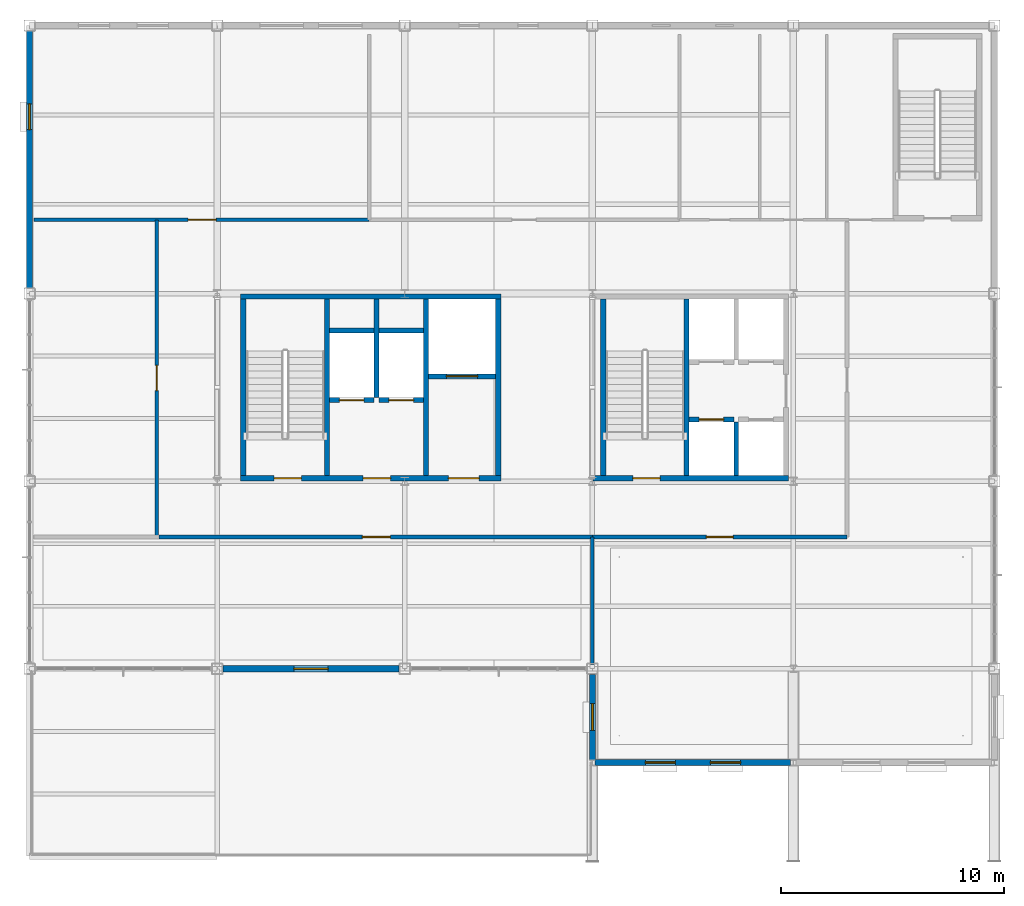
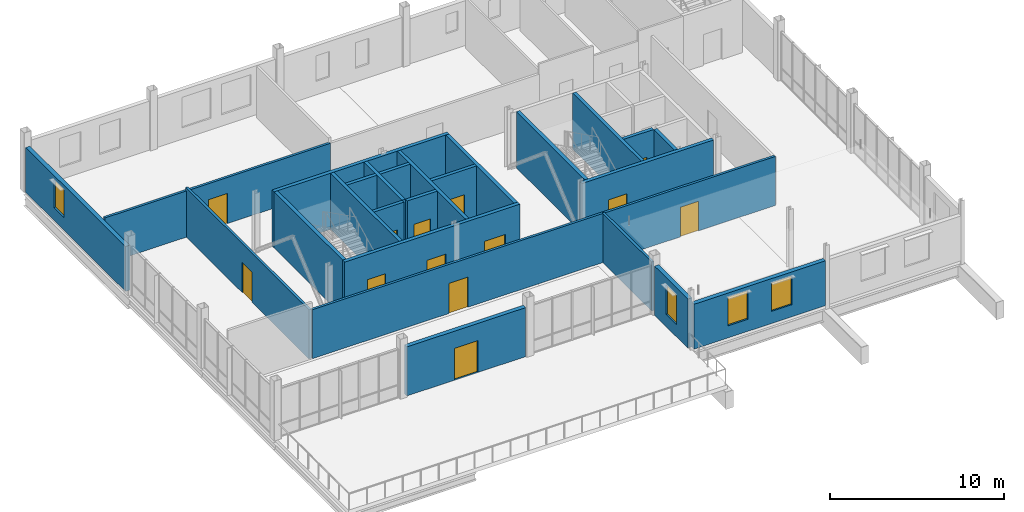
# One storey, part 14 of 22: 26 walls, 13 doors, 4 windows, 17 openings.
"""IFC4 building model written with IfcOpenShell, lengths in metres."""

from ifc_helpers import new_model, si_unit, direction, frame, frame_2d, origin, place, context, subcontext, project, spatial, rectangle, extrude, material, layer, layer_set, type_object, element, fill, save


model = new_model("IFC4")

# Units and contexts
model_context = context("Model", 3, precision=1e-05, world=origin(), true_north=direction((0.0, 1.0)))
body_context = subcontext(model_context, "Body", "Model", "MODEL_VIEW")
ifc_project = project(units=[si_unit("LENGTHUNIT", "METRE"), si_unit("AREAUNIT", "SQUARE_METRE"), si_unit("VOLUMEUNIT", "CUBIC_METRE"), si_unit("PLANEANGLEUNIT", "RADIAN"), si_unit("MASSUNIT", "GRAM", prefix="KILO")], contexts=[model_context])

# Site, building, storey
site_placement = place(None, origin())
site = spatial("IfcSite", under=ifc_project, at=site_placement, CompositionType="ELEMENT")
building_placement = place(site_placement, origin())
building = spatial("IfcBuilding", under=site, at=building_placement, Name="Yukiwa Park Conservatory and Herbarium", CompositionType="ELEMENT")
storey_placement = place(building_placement, frame((0.0, 0.0, 35.39990234375)))
storey = spatial("IfcBuildingStorey", under=building, at=storey_placement, Name="L09", CompositionType="ELEMENT", Elevation=35.39990234375)

# Walls
ifc_material_1 = material(Name="Concrete C40", Category="concrete")
ifc_layer_1 = layer(ifc_material_1, 0.219970703125)
ifc_layer_set_1 = layer_set([ifc_layer_1], Name="Concrete C40")
wall_type_1 = type_object("IfcWallType", Name="WL-CORE-RC220", PredefinedType="SHEAR", material=ifc_layer_set_1)
wall_1_placement = place(storey_placement, frame((138.110107421875, 95.050048828125, 0.0), z_axis=(0.0, 0.0, 1.0), x_axis=(0.0, 1.0, 0.0)))
element("IfcWall", 1, at=wall_1_placement, inside=storey, type_object=wall_type_1, Name="L09 core shear wall 573", PredefinedType="SHEAR", context=body_context, shape_type="SweptSolid", body=[
    extrude(rectangle(XDim=7.89990234375, YDim=0.219970703125, at=frame_2d((3.949951171875, 0.0))), origin(), (0.0, 0.0, 1.0), 3.947998046875),
])
wall_2_placement = place(storey_placement, frame((140.330078125, 98.5400390625, 0.0), z_axis=(0.0, 0.0, 1.0), x_axis=(0.0, 1.0, 0.0)))
element("IfcWall", 2, at=wall_2_placement, inside=storey, type_object=wall_type_1, Name="L09 core shear wall 574", PredefinedType="SHEAR", context=body_context, shape_type="SweptSolid", body=[
    extrude(rectangle(XDim=4.409912109375, YDim=0.219970703125, at=frame_2d((2.205078125, 0.0))), origin(), (0.0, 0.0, 1.0), 3.947998046875),
])
wall_3_placement = place(storey_placement, frame((142.550048828125, 95.050048828125, 0.0), z_axis=(0.0, 0.0, 1.0), x_axis=(0.0, 1.0, 0.0)))
element("IfcWall", 3, at=wall_3_placement, inside=storey, type_object=wall_type_1, Name="L09 core shear wall 575", PredefinedType="SHEAR", context=body_context, shape_type="SweptSolid", body=[
    extrude(rectangle(XDim=7.89990234375, YDim=0.219970703125, at=frame_2d((3.949951171875, 0.0))), origin(), (0.0, 0.0, 1.0), 3.947998046875),
])

# Wall, opening, door
wall_4_placement = place(storey_placement, frame((138.219970703125, 98.429931640625, 0.0), z_axis=(0.0, 0.0, 1.0), x_axis=(1.0, 0.0, 0.0)))
wall_4 = element("IfcWall", 4, at=wall_4_placement, inside=storey, type_object=wall_type_1, Name="L09 core shear wall 577", PredefinedType="SHEAR", context=body_context, shape_type="SweptSolid", body=[
    extrude(rectangle(XDim=2.0, YDim=0.219970703125, at=frame_2d((1.0, 0.0))), origin(), (0.0, 0.0, 1.0), 3.947998046875),
])
opening_1_placement = place(wall_4_placement, frame((0.449951171875, 0.0, 0.0)))
opening_1 = element("IfcOpeningElement", 5, at=opening_1_placement, cuts=wall_4, Name="Opening LD-01", PredefinedType="OPENING", context=body_context, shape_type="SweptSolid", body=[
    extrude(rectangle(XDim=1.10009765625, YDim=2.14990234375, at=frame_2d((0.550048828125, 1.074951171875))), frame((0.0, 0.1201171875, 0.0), z_axis=(0.0, -1.0, 0.0), x_axis=(1.0, 0.0, 0.0)), (0.0, 0.0, 1.0), 0.239990234375),
])
ifc_material_2 = material(Name="Steel Q235B", Category="steel")
door_type_1 = type_object("IfcDoorType", Name="DR-LIFT-LD1100", OperationType="SLIDING_TO_LEFT", PredefinedType="DOOR", material=ifc_material_2)
door_1_placement = place(opening_1_placement, origin())
door_1 = element("IfcDoor", 6, at=door_1_placement, inside=storey, type_object=door_type_1, Name="L09 Firefighting Lift FL1 sliding landing door", OperationType="SLIDING_TO_LEFT", OverallHeight=2.14990234375, OverallWidth=1.10009765625, PredefinedType="DOOR", context=body_context, shape_type="SweptSolid", body=[
    extrude(rectangle(XDim=1.10009765625, YDim=2.14990234375, at=frame_2d((0.550048828125, 1.074951171875))), frame((0.0, 0.02490234375, 0.0), z_axis=(0.0, -1.0, 0.0), x_axis=(1.0, 0.0, 0.0)), (0.0, 0.0, 1.0), 0.050048828125),
])
fill(opening_1, door_1)

wall_5_placement = place(storey_placement, frame((140.43994140625, 98.429931640625, 0.0), z_axis=(0.0, 0.0, 1.0), x_axis=(1.0, 0.0, 0.0)))
wall_5 = element("IfcWall", 7, at=wall_5_placement, inside=storey, type_object=wall_type_1, Name="L09 core shear wall 578", PredefinedType="SHEAR", context=body_context, shape_type="SweptSolid", body=[
    extrude(rectangle(XDim=2.0, YDim=0.219970703125, at=frame_2d((1.0, 0.0))), origin(), (0.0, 0.0, 1.0), 3.947998046875),
])
opening_2_placement = place(wall_5_placement, frame((0.449951171875, 0.0, 0.0)))
opening_2 = element("IfcOpeningElement", 8, at=opening_2_placement, cuts=wall_5, Name="Opening LD-01", PredefinedType="OPENING", context=body_context, shape_type="SweptSolid", body=[
    extrude(rectangle(XDim=1.10009765625, YDim=2.14990234375, at=frame_2d((0.550048828125, 1.074951171875))), frame((0.0, 0.1201171875, 0.0), z_axis=(0.0, -1.0, 0.0), x_axis=(1.0, 0.0, 0.0)), (0.0, 0.0, 1.0), 0.239990234375),
])
door_2_placement = place(opening_2_placement, origin())
door_2 = element("IfcDoor", 9, at=door_2_placement, inside=storey, type_object=door_type_1, Name="L09 Firefighting Lift FL2 sliding landing door", OperationType="SLIDING_TO_LEFT", OverallHeight=2.14990234375, OverallWidth=1.10009765625, PredefinedType="DOOR", context=body_context, shape_type="SweptSolid", body=[
    extrude(rectangle(XDim=1.10009765625, YDim=2.14990234375, at=frame_2d((0.550048828125, 1.074951171875))), frame((0.0, 0.02490234375, 0.0), z_axis=(0.0, -1.0, 0.0), x_axis=(1.0, 0.0, 0.0)), (0.0, 0.0, 1.0), 0.050048828125),
])
fill(opening_2, door_2)

# Walls
for number, where, z_axis, x_axis, name in (
    (10, (138.219970703125, 101.550048828125, 0.0), (0.0, 0.0, 1.0), (1.0, 0.0, 0.0), "L09 core shear wall 579"),
    (11, (140.43994140625, 101.550048828125, 0.0), (0.0, 0.0, 1.0), (1.0, 0.0, 0.0), "L09 core shear wall 580"),
):
    element("IfcWall", number, at=place(storey_placement, frame(where, z_axis=z_axis, x_axis=x_axis)), inside=storey, type_object=wall_type_1, Name=name, PredefinedType="SHEAR", context=body_context, shape_type="SweptSolid", body=[
        extrude(rectangle(XDim=2.0, YDim=0.219970703125, at=frame_2d((1.0, 0.0))), origin(), (0.0, 0.0, 1.0), 3.947998046875),
    ])

# Wall, opening, door
wall_6_placement = place(storey_placement, frame((142.659912109375, 99.489990234375, 0.0), z_axis=(0.0, 0.0, 1.0), x_axis=(1.0, 0.0, 0.0)))
wall_6 = element("IfcWall", 12, at=wall_6_placement, inside=storey, type_object=wall_type_1, Name="L09 core shear wall 581", PredefinedType="SHEAR", context=body_context, shape_type="SweptSolid", body=[
    extrude(rectangle(XDim=3.0, YDim=0.219970703125, at=frame_2d((1.5, 0.0))), origin(), (0.0, 0.0, 1.0), 3.947998046875),
])
opening_3_placement = place(wall_6_placement, frame((0.800048828125, 0.0, 0.0)))
opening_3 = element("IfcOpeningElement", 13, at=opening_3_placement, cuts=wall_6, Name="Opening LD-02", PredefinedType="OPENING", context=body_context, shape_type="SweptSolid", body=[
    extrude(rectangle(XDim=1.39990234375, YDim=2.199951171875, at=frame_2d((0.699951171875, 1.10009765625))), frame((0.0, 0.1201171875, 0.0), z_axis=(0.0, -1.0, 0.0), x_axis=(1.0, 0.0, 0.0)), (0.0, 0.0, 1.0), 0.239990234375),
])
ifc_material_3 = material(Name="Steel Q235B", Category="steel")
door_type_2 = type_object("IfcDoorType", Name="DR-LIFT-LD1400", OperationType="SLIDING_TO_LEFT", PredefinedType="DOOR", material=ifc_material_3)
door_3_placement = place(opening_3_placement, origin())
door_3 = element("IfcDoor", 14, at=door_3_placement, inside=storey, type_object=door_type_2, Name="L09 Goods Lift GL1 sliding landing door", OperationType="SLIDING_TO_LEFT", OverallHeight=2.199951171875, OverallWidth=1.39990234375, PredefinedType="DOOR", context=body_context, shape_type="SweptSolid", body=[
    extrude(rectangle(XDim=1.39990234375, YDim=2.199951171875, at=frame_2d((0.699951171875, 1.10009765625))), frame((0.0, 0.02490234375, 0.0), z_axis=(0.0, -1.0, 0.0), x_axis=(1.0, 0.0, 0.0)), (0.0, 0.0, 1.0), 0.050048828125),
])
fill(opening_3, door_3)

# Walls
wall_7_placement = place(storey_placement, frame((154.219970703125, 95.050048828125, 0.0), z_axis=(0.0, 0.0, 1.0), x_axis=(0.0, 1.0, 0.0)))
element("IfcWall", 15, at=wall_7_placement, inside=storey, type_object=wall_type_1, Name="L09 core shear wall 585", PredefinedType="SHEAR", context=body_context, shape_type="SweptSolid", body=[
    extrude(rectangle(XDim=7.89990234375, YDim=0.219970703125, at=frame_2d((3.949951171875, 0.0))), origin(), (0.0, 0.0, 1.0), 3.947998046875),
])
wall_8_placement = place(storey_placement, frame((156.43994140625, 95.050048828125, 0.0), z_axis=(0.0, 0.0, 1.0), x_axis=(0.0, 1.0, 0.0)))
element("IfcWall", 16, at=wall_8_placement, inside=storey, type_object=wall_type_1, Name="L09 core shear wall 590", PredefinedType="SHEAR", context=body_context, shape_type="SweptSolid", body=[
    extrude(rectangle(XDim=2.39990234375, YDim=0.219970703125, at=frame_2d((1.199951171875, 0.0))), origin(), (0.0, 0.0, 1.0), 3.947998046875),
])

# Wall, opening, door
wall_9_placement = place(storey_placement, frame((154.330078125, 97.56005859375, 0.0), z_axis=(0.0, 0.0, 1.0), x_axis=(1.0, 0.0, 0.0)))
wall_9 = element("IfcWall", 17, at=wall_9_placement, inside=storey, type_object=wall_type_1, Name="L09 core shear wall 591", PredefinedType="SHEAR", context=body_context, shape_type="SweptSolid", body=[
    extrude(rectangle(XDim=2.0, YDim=0.219970703125, at=frame_2d((1.0, 0.0))), origin(), (0.0, 0.0, 1.0), 3.947998046875),
])
opening_4_placement = place(wall_9_placement, frame((0.449951171875, 0.0, 0.0)))
opening_4 = element("IfcOpeningElement", 18, at=opening_4_placement, cuts=wall_9, Name="Opening LD-01", PredefinedType="OPENING", context=body_context, shape_type="SweptSolid", body=[
    extrude(rectangle(XDim=1.10009765625, YDim=2.14990234375, at=frame_2d((0.550048828125, 1.074951171875))), frame((0.0, 0.1201171875, 0.0), z_axis=(0.0, -1.0, 0.0), x_axis=(1.0, 0.0, 0.0)), (0.0, 0.0, 1.0), 0.239990234375),
])
door_4_placement = place(opening_4_placement, origin())
door_4 = element("IfcDoor", 19, at=door_4_placement, inside=storey, type_object=door_type_1, Name="L09 Passenger Lift LP3 sliding landing door", OperationType="SLIDING_TO_LEFT", OverallHeight=2.14990234375, OverallWidth=1.10009765625, PredefinedType="DOOR", context=body_context, shape_type="SweptSolid", body=[
    extrude(rectangle(XDim=1.10009765625, YDim=2.14990234375, at=frame_2d((0.550048828125, 1.074951171875))), frame((0.0, 0.02490234375, 0.0), z_axis=(0.0, -1.0, 0.0), x_axis=(1.0, 0.0, 0.0)), (0.0, 0.0, 1.0), 0.050048828125),
])
fill(opening_4, door_4)

# Wall, openings, doors
ifc_material_4 = material(Name="Concrete C50", Category="concrete")
ifc_layer_2 = layer(ifc_material_4, 0.239990234375)
ifc_layer_set_2 = layer_set([ifc_layer_2], Name="Concrete C50")
wall_type_2 = type_object("IfcWallType", Name="WL-CORE-RC240", PredefinedType="SHEAR", material=ifc_layer_set_2)
wall_10_placement = place(storey_placement, frame((134.25, 94.929931640625, 0.0), z_axis=(0.0, 0.0, 1.0), x_axis=(1.0, 0.0, 0.0)))
wall_10 = element("IfcWall", 20, at=wall_10_placement, inside=storey, type_object=wall_type_2, Name="L09 core shear wall 570", PredefinedType="SHEAR", context=body_context, shape_type="SweptSolid", body=[
    extrude(rectangle(XDim=11.64990234375, YDim=0.239990234375, at=frame_2d((5.824951171875, 0.0))), origin(), (0.0, 0.0, 1.0), 3.947998046875),
])
opening_5_placement = place(wall_10_placement, frame((1.5, 0.0, 0.0)))
opening_5 = element("IfcOpeningElement", 21, at=opening_5_placement, cuts=wall_10, Name="Opening SD-01", PredefinedType="OPENING", context=body_context, shape_type="SweptSolid", body=[
    extrude(rectangle(XDim=1.219970703125, YDim=2.179931640625, at=frame_2d((0.60986328125, 1.08984375))), frame((0.0, 0.1298828125, 0.0), z_axis=(0.0, -1.0, 0.0), x_axis=(1.0, 0.0, 0.0)), (0.0, 0.0, 1.0), 0.260009765625),
])
opening_6_placement = place(wall_10_placement, frame((5.47998046875, 0.0, 0.0)))
opening_6 = element("IfcOpeningElement", 22, at=opening_6_placement, cuts=wall_10, Name="Opening FD-02", PredefinedType="OPENING", context=body_context, shape_type="SweptSolid", body=[
    extrude(rectangle(XDim=1.239990234375, YDim=2.14990234375, at=frame_2d((0.6201171875, 1.074951171875))), frame((0.0, 0.1298828125, 0.0), z_axis=(0.0, -1.0, 0.0), x_axis=(1.0, 0.0, 0.0)), (0.0, 0.0, 1.0), 0.260009765625),
])
opening_7_placement = place(wall_10_placement, frame((9.300048828125, 0.0, 0.0)))
opening_7 = element("IfcOpeningElement", 23, at=opening_7_placement, cuts=wall_10, Name="Opening FD-06", PredefinedType="OPENING", context=body_context, shape_type="SweptSolid", body=[
    extrude(rectangle(XDim=1.3798828125, YDim=2.14990234375, at=frame_2d((0.68994140625, 1.074951171875))), frame((0.0, 0.1298828125, 0.0), z_axis=(0.0, -1.0, 0.0), x_axis=(1.0, 0.0, 0.0)), (0.0, 0.0, 1.0), 0.260009765625),
])
ifc_material_5 = material(Name="Steel Q235B", Category="steel")
door_type_3 = type_object("IfcDoorType", Name="DR-FIRE-FD60-1400", OperationType="DOUBLE_DOOR_SINGLE_SWING", PredefinedType="DOOR", material=ifc_material_5)
door_5_placement = place(opening_7_placement, frame((1.3798828125, 0.0, 0.0), z_axis=(0.0, 0.0, 1.0), x_axis=(-1.0, 0.0, 0.0)))
door_5 = element("IfcDoor", 24, at=door_5_placement, inside=storey, type_object=door_type_3, Name="L09 Goods Lift Lobby double fire door", OperationType="DOUBLE_DOOR_SINGLE_SWING", OverallHeight=2.14990234375, OverallWidth=1.3798828125, PredefinedType="DOOR", context=body_context, shape_type="SweptSolid", body=[
    extrude(rectangle(XDim=1.3798828125, YDim=2.14990234375, at=frame_2d((0.68994140625, 1.074951171875))), frame((0.0, 0.02490234375, 0.0), z_axis=(0.0, -1.0, 0.0), x_axis=(1.0, 0.0, 0.0)), (0.0, 0.0, 1.0), 0.050048828125),
])
fill(opening_7, door_5)
ifc_material_6 = material(Name="Steel Q235B", Category="steel")
door_type_4 = type_object("IfcDoorType", Name="DR-FIRE-FD90-1200", OperationType="SINGLE_SWING_RIGHT", PredefinedType="DOOR", material=ifc_material_6)
door_6_placement = place(opening_6_placement, frame((1.239990234375, 0.0, 0.0), z_axis=(0.0, 0.0, 1.0), x_axis=(-1.0, 0.0, 0.0)))
door_6 = element("IfcDoor", 25, at=door_6_placement, inside=storey, type_object=door_type_4, Name="L09 Firefighting Lift Lobby fire door", OperationType="SINGLE_SWING_RIGHT", OverallHeight=2.14990234375, OverallWidth=1.239990234375, PredefinedType="DOOR", context=body_context, shape_type="SweptSolid", body=[
    extrude(rectangle(XDim=1.239990234375, YDim=2.14990234375, at=frame_2d((0.6201171875, 1.074951171875))), frame((0.0, 0.02490234375, 0.0), z_axis=(0.0, -1.0, 0.0), x_axis=(1.0, 0.0, 0.0)), (0.0, 0.0, 1.0), 0.050048828125),
])
fill(opening_6, door_6)
ifc_material_7 = material(Name="Steel Q235B", Category="steel")
door_type_5 = type_object("IfcDoorType", Name="DR-STAIR-FD90-1200", OperationType="SINGLE_SWING_LEFT", PredefinedType="DOOR", material=ifc_material_7)
door_7_placement = place(opening_5_placement, origin())
door_7 = element("IfcDoor", 26, at=door_7_placement, inside=storey, type_object=door_type_5, Name="L09 Stairwell ST-T1 fire door", OperationType="SINGLE_SWING_LEFT", OverallHeight=2.179931640625, OverallWidth=1.219970703125, PredefinedType="DOOR", context=body_context, shape_type="SweptSolid", body=[
    extrude(rectangle(XDim=1.219970703125, YDim=2.179931640625, at=frame_2d((0.60986328125, 1.08984375))), frame((0.0, 0.02490234375, 0.0), z_axis=(0.0, -1.0, 0.0), x_axis=(1.0, 0.0, 0.0)), (0.0, 0.0, 1.0), 0.050048828125),
])
fill(opening_5, door_7)

# Walls
wall_11_placement = place(storey_placement, frame((134.25, 103.070068359375, 0.0), z_axis=(0.0, 0.0, 1.0), x_axis=(1.0, 0.0, 0.0)))
element("IfcWall", 27, at=wall_11_placement, inside=storey, type_object=wall_type_2, Name="L09 core shear wall 571", PredefinedType="SHEAR", context=body_context, shape_type="SweptSolid", body=[
    extrude(rectangle(XDim=11.64990234375, YDim=0.239990234375, at=frame_2d((5.824951171875, 0.0))), origin(), (0.0, 0.0, 1.0), 3.947998046875),
])
for number, where, z_axis, x_axis, name in (
    (28, (134.3701171875, 95.050048828125, 0.0), (0.0, 0.0, 1.0), (0.0, 1.0, 0.0), "L09 core shear wall 572"),
    (29, (145.780029296875, 95.050048828125, 0.0), (0.0, 0.0, 1.0), (0.0, 1.0, 0.0), "L09 core shear wall 576"),
):
    element("IfcWall", number, at=place(storey_placement, frame(where, z_axis=z_axis, x_axis=x_axis)), inside=storey, type_object=wall_type_2, Name=name, PredefinedType="SHEAR", context=body_context, shape_type="SweptSolid", body=[
        extrude(rectangle(XDim=7.89990234375, YDim=0.239990234375, at=frame_2d((3.949951171875, 0.0))), origin(), (0.0, 0.0, 1.0), 3.947998046875),
    ])

# Wall, opening, door
wall_12_placement = place(storey_placement, frame((150.02001953125, 94.929931640625, 0.0), z_axis=(0.0, 0.0, 1.0), x_axis=(1.0, 0.0, 0.0)))
wall_12 = element("IfcWall", 30, at=wall_12_placement, inside=storey, type_object=wall_type_2, Name="L09 core shear wall 582", PredefinedType="SHEAR", context=body_context, shape_type="SweptSolid", body=[
    extrude(rectangle(XDim=8.77001953125, YDim=0.239990234375, at=frame_2d((4.385009765625, 0.0))), origin(), (0.0, 0.0, 1.0), 3.947998046875),
])
opening_8_placement = place(wall_12_placement, frame((1.7900390625, 0.0, 0.0)))
opening_8 = element("IfcOpeningElement", 31, at=opening_8_placement, cuts=wall_12, Name="Opening SD-01", PredefinedType="OPENING", context=body_context, shape_type="SweptSolid", body=[
    extrude(rectangle(XDim=1.219970703125, YDim=2.179931640625, at=frame_2d((0.60986328125, 1.08984375))), frame((0.0, 0.1298828125, 0.0), z_axis=(0.0, -1.0, 0.0), x_axis=(1.0, 0.0, 0.0)), (0.0, 0.0, 1.0), 0.260009765625),
])
door_8_placement = place(opening_8_placement, origin())
door_8 = element("IfcDoor", 32, at=door_8_placement, inside=storey, type_object=door_type_5, Name="L09 Stairwell ST-T2 fire door", OperationType="SINGLE_SWING_LEFT", OverallHeight=2.179931640625, OverallWidth=1.219970703125, PredefinedType="DOOR", context=body_context, shape_type="SweptSolid", body=[
    extrude(rectangle(XDim=1.219970703125, YDim=2.179931640625, at=frame_2d((0.60986328125, 1.08984375))), frame((0.0, 0.02490234375, 0.0), z_axis=(0.0, -1.0, 0.0), x_axis=(1.0, 0.0, 0.0)), (0.0, 0.0, 1.0), 0.050048828125),
])
fill(opening_8, door_8)

# Wall
wall_13_placement = place(storey_placement, frame((150.47998046875, 95.050048828125, 0.0), z_axis=(0.0, 0.0, 1.0), x_axis=(0.0, 1.0, 0.0)))
element("IfcWall", 33, at=wall_13_placement, inside=storey, type_object=wall_type_2, Name="L09 core shear wall 584", PredefinedType="SHEAR", context=body_context, shape_type="SweptSolid", body=[
    extrude(rectangle(XDim=7.89990234375, YDim=0.239990234375, at=frame_2d((3.949951171875, 0.0))), origin(), (0.0, 0.0, 1.0), 3.947998046875),
])

# Wall, opening, window
ifc_material_8 = material(Name="Pale Granite Cladding", Category="masonry")
ifc_layer_3 = layer(ifc_material_8, 0.280029296875)
ifc_layer_set_3 = layer_set([ifc_layer_3], Name="Pale Granite Cladding")
wall_type_3 = type_object("IfcWallType", Name="WL-EXT-GRAN-280", PredefinedType="SOLIDWALL", material=ifc_layer_set_3)
wall_14_placement = place(storey_placement, frame((124.800048828125, 114.949951171875, 0.0), z_axis=(0.0, 0.0, 1.0), x_axis=(0.0, -1.0, 0.0)))
wall_14 = element("IfcWall", 34, at=wall_14_placement, inside=storey, type_object=wall_type_3, Name="L09 exterior envelope wall 343", PredefinedType="SOLIDWALL", context=body_context, shape_type="SweptSolid", body=[
    extrude(rectangle(XDim=11.5, YDim=0.280029296875, at=frame_2d((5.75, 0.0))), origin(), (0.0, 0.0, 1.0), 3.156005859375),
])
opening_9_placement = place(wall_14_placement, frame((3.258056640625, 0.0, 0.89990234375)))
opening_9 = element("IfcOpeningElement", 35, at=opening_9_placement, cuts=wall_14, Name="Opening W-22", PredefinedType="OPENING", context=body_context, shape_type="SweptSolid", body=[
    extrude(rectangle(XDim=1.14990234375, YDim=1.9599609375, at=frame_2d((0.574951171875, 0.97998046875))), frame((0.0, 0.14990234375, 0.0), z_axis=(0.0, -1.0, 0.0), x_axis=(1.0, 0.0, 0.0)), (0.0, 0.0, 1.0), 0.300048828125),
])
ifc_material_9 = material(Name="Triple Low-E Insulated Glass", Category="glass")
window_type_1 = type_object("IfcWindowType", Name="WN-TW-1150X2000", PartitioningType="SINGLE_PANEL", PredefinedType="WINDOW", material=ifc_material_9)
window_1_placement = place(opening_9_placement, origin())
window_1 = element("IfcWindow", 36, at=window_1_placement, inside=storey, type_object=window_type_1, Name="L09 deep-reveal triple-glazed window 269", OverallHeight=1.9599609375, OverallWidth=1.14990234375, PartitioningType="SINGLE_PANEL", PredefinedType="WINDOW", context=body_context, shape_type="SweptSolid", body=[
    extrude(rectangle(XDim=1.14990234375, YDim=1.9599609375, at=frame_2d((0.574951171875, 0.97998046875))), frame((0.0, 0.030029296875, 0.0), z_axis=(0.0, -1.0, 0.0), x_axis=(1.0, 0.0, 0.0)), (0.0, 0.0, 1.0), 0.06005859375),
])
fill(opening_9, window_1)

# Wall, opening, door
wall_15_placement = place(storey_placement, frame((133.449951171875, 86.39990234375, 0.0), z_axis=(0.0, 0.0, 1.0), x_axis=(1.0, 0.0, 0.0)))
wall_15 = element("IfcWall", 37, at=wall_15_placement, inside=storey, type_object=wall_type_3, Name="L09 exterior envelope wall 344", PredefinedType="SOLIDWALL", context=body_context, shape_type="SweptSolid", body=[
    extrude(rectangle(XDim=7.900146484375, YDim=0.280029296875, at=frame_2d((3.9501953125, 0.0))), origin(), (0.0, 0.0, 1.0), 3.447998046875),
])
opening_10_placement = place(wall_15_placement, frame((3.179931640625, 0.0, 0.0)))
opening_10 = element("IfcOpeningElement", 38, at=opening_10_placement, cuts=wall_15, Name="Opening TD-02", PredefinedType="OPENING", context=body_context, shape_type="SweptSolid", body=[
    extrude(rectangle(XDim=1.5400390625, YDim=2.239990234375, at=frame_2d((0.77001953125, 1.1201171875))), frame((0.0, 0.14990234375, 0.0), z_axis=(0.0, -1.0, 0.0), x_axis=(1.0, 0.0, 0.0)), (0.0, 0.0, 1.0), 0.300048828125),
])
ifc_material_10 = material(Name="Steel Q235B", Category="steel")
door_type_6 = type_object("IfcDoorType", Name="DR-EXT-TER1500", OperationType="DOUBLE_DOOR_SINGLE_SWING", PredefinedType="DOOR", material=ifc_material_10)
door_9_placement = place(opening_10_placement, frame((1.5400390625, 0.0, 0.0), z_axis=(0.0, 0.0, 1.0), x_axis=(-1.0, 0.0, 0.0)))
door_9 = element("IfcDoor", 39, at=door_9_placement, inside=storey, type_object=door_type_6, Name="L09 South Sky Terrace double door", OperationType="DOUBLE_DOOR_SINGLE_SWING", OverallHeight=2.239990234375, OverallWidth=1.5400390625, PredefinedType="DOOR", context=body_context, shape_type="SweptSolid", body=[
    extrude(rectangle(XDim=1.5400390625, YDim=2.239990234375, at=frame_2d((0.77001953125, 1.1201171875))), frame((0.0, 0.02490234375, 0.0), z_axis=(0.0, -1.0, 0.0), x_axis=(1.0, 0.0, 0.0)), (0.0, 0.0, 1.0), 0.050048828125),
])
fill(opening_10, door_9)

# Wall, opening, window
wall_16_placement = place(storey_placement, frame((150.0, 86.14990234375, 0.0), z_axis=(0.0, 0.0, 1.0), x_axis=(0.0, -1.0, 0.0)))
wall_16 = element("IfcWall", 40, at=wall_16_placement, inside=storey, type_object=wall_type_3, Name="L09 exterior envelope wall 345", PredefinedType="SOLIDWALL", context=body_context, shape_type="SweptSolid", body=[
    extrude(rectangle(XDim=3.824951171875, YDim=0.280029296875, at=frame_2d((1.91259765625, 0.0))), origin(), (0.0, 0.0, 1.0), 3.4541015625),
])
opening_11_placement = place(wall_16_placement, frame((1.31298828125, 0.0, 0.85009765625)))
opening_11 = element("IfcOpeningElement", 41, at=opening_11_placement, cuts=wall_16, Name="Opening W-03", PredefinedType="OPENING", context=body_context, shape_type="SweptSolid", body=[
    extrude(rectangle(XDim=1.199951171875, YDim=2.10009765625, at=frame_2d((0.60009765625, 1.050048828125))), frame((0.0, 0.14990234375, 0.0), z_axis=(0.0, -1.0, 0.0), x_axis=(1.0, 0.0, 0.0)), (0.0, 0.0, 1.0), 0.300048828125),
])
ifc_material_11 = material(Name="Triple Low-E Insulated Glass", Category="glass")
window_type_2 = type_object("IfcWindowType", Name="WN-TW-1200X2100", PartitioningType="SINGLE_PANEL", PredefinedType="WINDOW", material=ifc_material_11)
window_2_placement = place(opening_11_placement, origin())
window_2 = element("IfcWindow", 42, at=window_2_placement, inside=storey, type_object=window_type_2, Name="L09 deep-reveal triple-glazed window 270", OverallHeight=2.10009765625, OverallWidth=1.199951171875, PartitioningType="SINGLE_PANEL", PredefinedType="WINDOW", context=body_context, shape_type="SweptSolid", body=[
    extrude(rectangle(XDim=1.199951171875, YDim=2.10009765625, at=frame_2d((0.60009765625, 1.050048828125))), frame((0.0, 0.030029296875, 0.0), z_axis=(0.0, -1.0, 0.0), x_axis=(1.0, 0.0, 0.0)), (0.0, 0.0, 1.0), 0.06005859375),
])
fill(opening_11, window_2)

# Wall, openings, windows
wall_17_placement = place(storey_placement, frame((150.125, 82.199951171875, 0.0), z_axis=(0.0, 0.0, 1.0), x_axis=(1.0, 0.0, 0.0)))
wall_17 = element("IfcWall", 43, at=wall_17_placement, inside=storey, type_object=wall_type_3, Name="L09 exterior envelope wall 346", PredefinedType="SOLIDWALL", context=body_context, shape_type="SweptSolid", body=[
    extrude(rectangle(XDim=8.75, YDim=0.280029296875, at=frame_2d((4.375, 0.0))), origin(), (0.0, 0.0, 1.0), 3.156005859375),
])
opening_12_placement = place(wall_17_placement, frame((2.241943359375, 0.0, 0.85009765625)))
opening_12 = element("IfcOpeningElement", 44, at=opening_12_placement, cuts=wall_17, Name="Opening W-04", PredefinedType="OPENING", context=body_context, shape_type="SweptSolid", body=[
    extrude(rectangle(XDim=1.35009765625, YDim=2.010009765625, at=frame_2d((0.675048828125, 1.0048828125))), frame((0.0, 0.14990234375, 0.0), z_axis=(0.0, -1.0, 0.0), x_axis=(1.0, 0.0, 0.0)), (0.0, 0.0, 1.0), 0.300048828125),
])
opening_13_placement = place(wall_17_placement, frame((5.157958984375, 0.0, 0.85009765625)))
opening_13 = element("IfcOpeningElement", 45, at=opening_13_placement, cuts=wall_17, Name="Opening W-04", PredefinedType="OPENING", context=body_context, shape_type="SweptSolid", body=[
    extrude(rectangle(XDim=1.35009765625, YDim=2.010009765625, at=frame_2d((0.675048828125, 1.0048828125))), frame((0.0, 0.14990234375, 0.0), z_axis=(0.0, -1.0, 0.0), x_axis=(1.0, 0.0, 0.0)), (0.0, 0.0, 1.0), 0.300048828125),
])
ifc_material_12 = material(Name="Triple Low-E Insulated Glass", Category="glass")
window_type_3 = type_object("IfcWindowType", Name="WN-TW-1350X2100", PartitioningType="SINGLE_PANEL", PredefinedType="WINDOW", material=ifc_material_12)
window_3_placement = place(opening_12_placement, origin())
window_3 = element("IfcWindow", 46, at=window_3_placement, inside=storey, type_object=window_type_3, Name="L09 deep-reveal triple-glazed window 271", OverallHeight=2.010009765625, OverallWidth=1.35009765625, PartitioningType="SINGLE_PANEL", PredefinedType="WINDOW", context=body_context, shape_type="SweptSolid", body=[
    extrude(rectangle(XDim=1.35009765625, YDim=2.010009765625, at=frame_2d((0.675048828125, 1.0048828125))), frame((0.0, 0.030029296875, 0.0), z_axis=(0.0, -1.0, 0.0), x_axis=(1.0, 0.0, 0.0)), (0.0, 0.0, 1.0), 0.06005859375),
])
fill(opening_12, window_3)
window_4_placement = place(opening_13_placement, origin())
window_4 = element("IfcWindow", 47, at=window_4_placement, inside=storey, type_object=window_type_3, Name="L09 deep-reveal triple-glazed window 272", OverallHeight=2.010009765625, OverallWidth=1.35009765625, PartitioningType="SINGLE_PANEL", PredefinedType="WINDOW", context=body_context, shape_type="SweptSolid", body=[
    extrude(rectangle(XDim=1.35009765625, YDim=2.010009765625, at=frame_2d((0.675048828125, 1.0048828125))), frame((0.0, 0.030029296875, 0.0), z_axis=(0.0, -1.0, 0.0), x_axis=(1.0, 0.0, 0.0)), (0.0, 0.0, 1.0), 0.06005859375),
])
fill(opening_13, window_4)

# Wall, opening, door
ifc_material_13 = material(Name="Gypsum Board Partition", Category="gypsum")
ifc_layer_4 = layer(ifc_material_13, 0.159912109375)
ifc_layer_set_4 = layer_set([ifc_layer_4], Name="Gypsum Board Partition")
wall_type_4 = type_object("IfcWallType", Name="WL-PART-GYP-160", PredefinedType="PARTITIONING", material=ifc_layer_set_4)
wall_18_placement = place(storey_placement, frame((130.60009765625, 92.300048828125, 0.0), z_axis=(0.0, 0.0, 1.0), x_axis=(1.0, 0.0, 0.0)))
wall_18 = element("IfcWall", 48, at=wall_18_placement, inside=storey, type_object=wall_type_4, Name="L09 interior partition wall 604", PredefinedType="PARTITIONING", context=body_context, shape_type="SweptSolid", body=[
    extrude(rectangle(XDim=19.39990234375, YDim=0.159912109375, at=frame_2d((9.699951171875, 0.0))), origin(), (0.0, 0.0, 1.0), 3.447998046875),
])
opening_14_placement = place(wall_18_placement, frame((9.10009765625, 0.0, 0.0)))
opening_14 = element("IfcOpeningElement", 49, at=opening_14_placement, cuts=wall_18, Name="Opening LD-12", PredefinedType="OPENING", context=body_context, shape_type="SweptSolid", body=[
    extrude(rectangle(XDim=1.25, YDim=2.1201171875, at=frame_2d((0.625, 1.06005859375))), frame((0.0, 0.08984375, 0.0), z_axis=(0.0, -1.0, 0.0), x_axis=(1.0, 0.0, 0.0)), (0.0, 0.0, 1.0), 0.179931640625),
])
ifc_material_14 = material(Name="Steel Q235B", Category="steel")
door_type_7 = type_object("IfcDoorType", Name="DR-LAB-1200", OperationType="SINGLE_SWING_LEFT", PredefinedType="DOOR", material=ifc_material_14)
door_10_placement = place(opening_14_placement, origin())
door_10 = element("IfcDoor", 50, at=door_10_placement, inside=storey, type_object=door_type_7, Name="L09 Tissue Culture Lab door", OperationType="SINGLE_SWING_LEFT", OverallHeight=2.1201171875, OverallWidth=1.25, PredefinedType="DOOR", context=body_context, shape_type="SweptSolid", body=[
    extrude(rectangle(XDim=1.25, YDim=2.1201171875, at=frame_2d((0.625, 1.06005859375))), frame((0.0, 0.02490234375, 0.0), z_axis=(0.0, -1.0, 0.0), x_axis=(1.0, 0.0, 0.0)), (0.0, 0.0, 1.0), 0.050048828125),
])
fill(opening_14, door_10)

wall_19_placement = place(storey_placement, frame((150.0, 92.300048828125, 0.0), z_axis=(0.0, 0.0, 1.0), x_axis=(1.0, 0.0, 0.0)))
wall_19 = element("IfcWall", 51, at=wall_19_placement, inside=storey, type_object=wall_type_4, Name="L09 interior partition wall 605", PredefinedType="PARTITIONING", context=body_context, shape_type="SweptSolid", body=[
    extrude(rectangle(XDim=11.39990234375, YDim=0.159912109375, at=frame_2d((5.699951171875, 0.0))), origin(), (0.0, 0.0, 1.0), 3.447998046875),
])
opening_15_placement = place(wall_19_placement, frame((5.10009765625, 0.0, 0.0)))
opening_15 = element("IfcOpeningElement", 52, at=opening_15_placement, cuts=wall_19, Name="Opening ID-12", PredefinedType="OPENING", context=body_context, shape_type="SweptSolid", body=[
    extrude(rectangle(XDim=1.199951171875, YDim=2.080078125, at=frame_2d((0.60009765625, 1.0400390625))), frame((0.0, 0.08984375, 0.0), z_axis=(0.0, -1.0, 0.0), x_axis=(1.0, 0.0, 0.0)), (0.0, 0.0, 1.0), 0.179931640625),
])
ifc_material_15 = material(Name="Charred Larch Cladding", Category="wood")
door_type_8 = type_object("IfcDoorType", Name="DR-INT-1200", OperationType="SINGLE_SWING_LEFT", PredefinedType="DOOR", material=ifc_material_15)
door_11_placement = place(opening_15_placement, origin())
door_11 = element("IfcDoor", 53, at=door_11_placement, inside=storey, type_object=door_type_8, Name="L09 Colloquium Room door", OperationType="SINGLE_SWING_LEFT", OverallHeight=2.080078125, OverallWidth=1.199951171875, PredefinedType="DOOR", context=body_context, shape_type="SweptSolid", body=[
    extrude(rectangle(XDim=1.199951171875, YDim=2.080078125, at=frame_2d((0.60009765625, 1.0400390625))), frame((0.0, 0.02490234375, 0.0), z_axis=(0.0, -1.0, 0.0), x_axis=(1.0, 0.0, 0.0)), (0.0, 0.0, 1.0), 0.050048828125),
])
fill(opening_15, door_11)

# Wall
wall_20_placement = place(storey_placement, frame((150.0, 86.60009765625, 0.0), z_axis=(0.0, 0.0, 1.0), x_axis=(0.0, 1.0, 0.0)))
element("IfcWall", 54, at=wall_20_placement, inside=storey, type_object=wall_type_4, Name="L09 interior partition wall 607", PredefinedType="PARTITIONING", context=body_context, shape_type="SweptSolid", body=[
    extrude(rectangle(XDim=5.699951171875, YDim=0.159912109375, at=frame_2d((2.85009765625, 0.0))), origin(), (0.0, 0.0, 1.0), 3.447998046875),
])

# Wall, opening, door
wall_21_placement = place(storey_placement, frame((130.5, 92.300048828125, 0.0), z_axis=(0.0, 0.0, 1.0), x_axis=(0.0, 1.0, 0.0)))
wall_21 = element("IfcWall", 55, at=wall_21_placement, inside=storey, type_object=wall_type_4, Name="L09 interior partition wall 608", PredefinedType="PARTITIONING", context=body_context, shape_type="SweptSolid", body=[
    extrude(rectangle(XDim=14.199951171875, YDim=0.159912109375, at=frame_2d((7.10009765625, 0.0))), origin(), (0.0, 0.0, 1.0), 3.4521484375),
])
opening_16_placement = place(wall_21_placement, frame((6.550048828125, 0.0, 0.0)))
opening_16 = element("IfcOpeningElement", 56, at=opening_16_placement, cuts=wall_21, Name="Opening LD-11", PredefinedType="OPENING", context=body_context, shape_type="SweptSolid", body=[
    extrude(rectangle(XDim=1.139892578125, YDim=2.1201171875, at=frame_2d((0.56982421875, 1.06005859375))), frame((0.0, 0.08984375, 0.0), z_axis=(0.0, -1.0, 0.0), x_axis=(1.0, 0.0, 0.0)), (0.0, 0.0, 1.0), 0.179931640625),
])
ifc_material_16 = material(Name="Steel Q235B", Category="steel")
door_type_9 = type_object("IfcDoorType", Name="DR-LAB-1100", OperationType="SINGLE_SWING_RIGHT", PredefinedType="DOOR", material=ifc_material_16)
door_12_placement = place(opening_16_placement, origin())
door_12 = element("IfcDoor", 57, at=door_12_placement, inside=storey, type_object=door_type_9, Name="L09 Phytotron Suite door", OperationType="SINGLE_SWING_RIGHT", OverallHeight=2.1201171875, OverallWidth=1.139892578125, PredefinedType="DOOR", context=body_context, shape_type="SweptSolid", body=[
    extrude(rectangle(XDim=1.139892578125, YDim=2.1201171875, at=frame_2d((0.56982421875, 1.06005859375))), frame((0.0, 0.02490234375, 0.0), z_axis=(0.0, -1.0, 0.0), x_axis=(1.0, 0.0, 0.0)), (0.0, 0.0, 1.0), 0.050048828125),
])
fill(opening_16, door_12)

wall_22_placement = place(storey_placement, frame((125.0, 106.5, 0.0), z_axis=(0.0, 0.0, 1.0), x_axis=(1.0, 0.0, 0.0)))
wall_22 = element("IfcWall", 58, at=wall_22_placement, inside=storey, type_object=wall_type_4, Name="L09 interior partition wall 609", PredefinedType="PARTITIONING", context=body_context, shape_type="SweptSolid", body=[
    extrude(rectangle(XDim=15.0, YDim=0.159912109375, at=frame_2d((7.5, 0.0))), origin(), (0.0, 0.0, 1.0), 3.248046875),
])
opening_17_placement = place(wall_22_placement, frame((6.89990234375, 0.0, 0.0)))
opening_17 = element("IfcOpeningElement", 59, at=opening_17_placement, cuts=wall_22, Name="Opening LD-12", PredefinedType="OPENING", context=body_context, shape_type="SweptSolid", body=[
    extrude(rectangle(XDim=1.25, YDim=2.1201171875, at=frame_2d((0.625, 1.06005859375))), frame((0.0, 0.08984375, 0.0), z_axis=(0.0, -1.0, 0.0), x_axis=(1.0, 0.0, 0.0)), (0.0, 0.0, 1.0), 0.179931640625),
])
door_13_placement = place(opening_17_placement, origin())
door_13 = element("IfcDoor", 60, at=door_13_placement, inside=storey, type_object=door_type_7, Name="L09 Plant Physiology Lab door", OperationType="SINGLE_SWING_LEFT", OverallHeight=2.1201171875, OverallWidth=1.25, PredefinedType="DOOR", context=body_context, shape_type="SweptSolid", body=[
    extrude(rectangle(XDim=1.25, YDim=2.1201171875, at=frame_2d((0.625, 1.06005859375))), frame((0.0, 0.02490234375, 0.0), z_axis=(0.0, -1.0, 0.0), x_axis=(1.0, 0.0, 0.0)), (0.0, 0.0, 1.0), 0.050048828125),
])
fill(opening_17, door_13)

save(model, "model.ifc")
